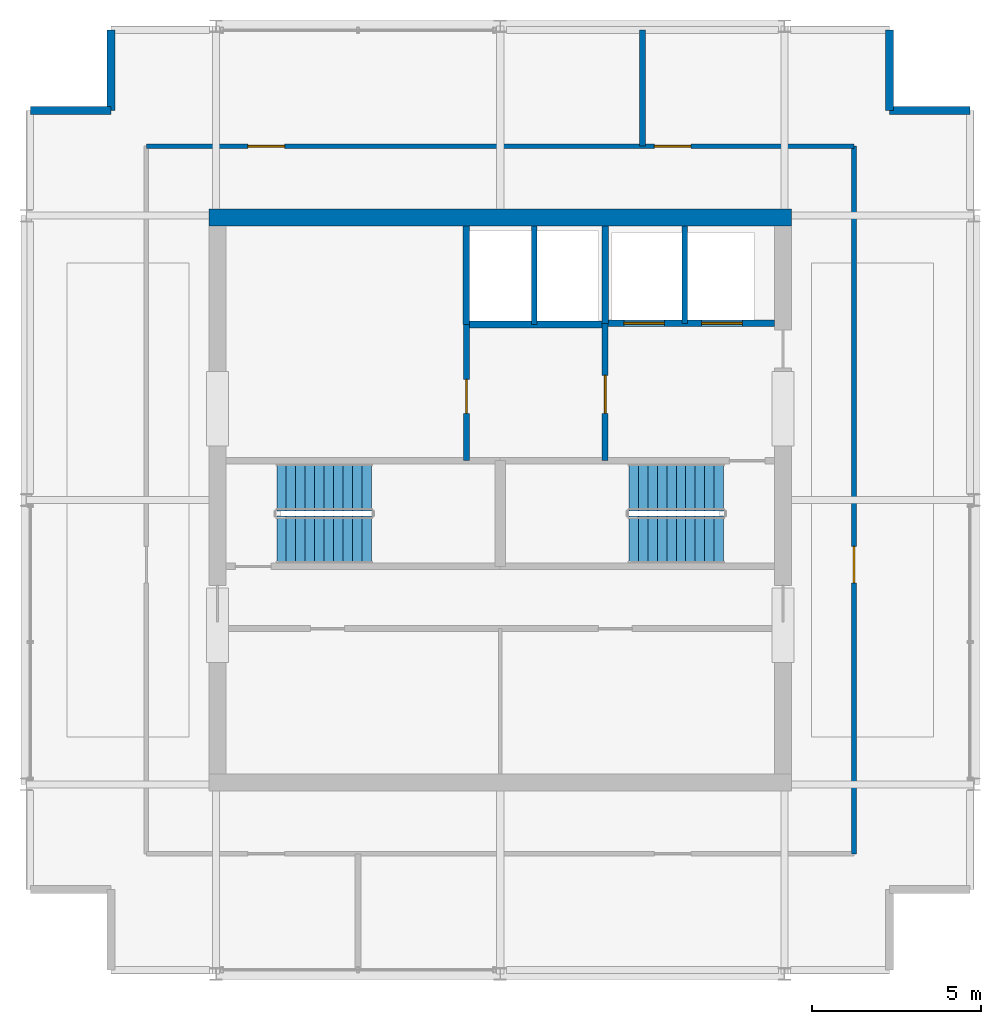
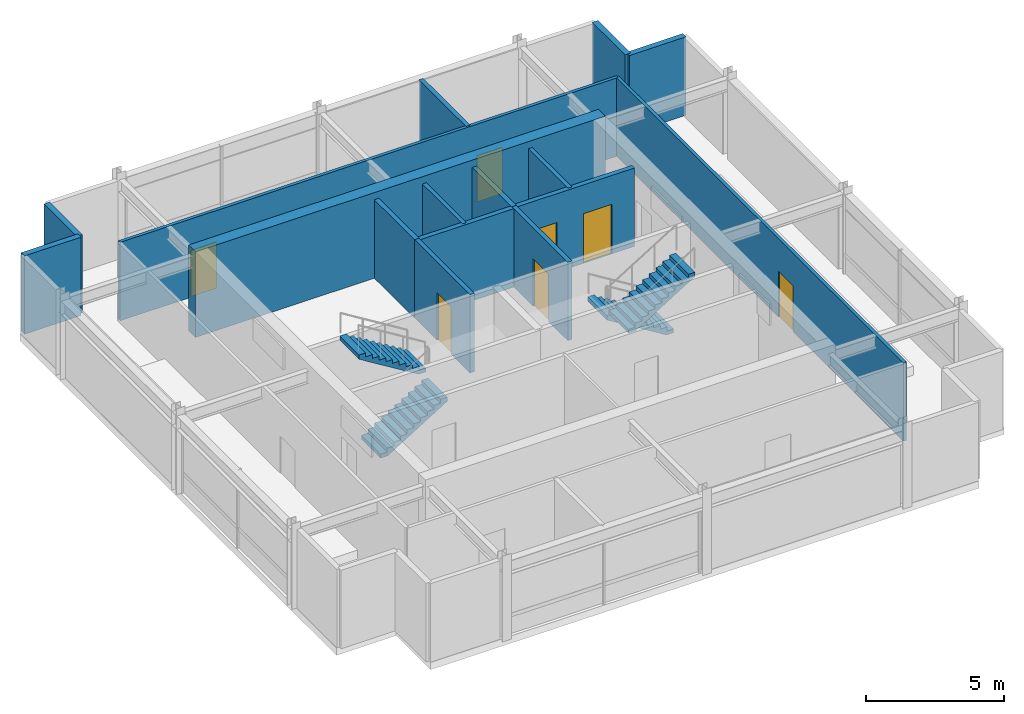
# One storey, part 10 of 12: 16 walls, 7 doors, 4 stair flights, 7 openings, 2 elements without a shape of their own.
"""IFC4 building model written with IfcOpenShell, lengths in metres."""

from ifc_helpers import new_model, si_unit, direction, frame, frame_2d, origin, place, context, subcontext, project, spatial, polyline, rectangle, outline, extrude, material, layer, layer_set, type_object, element, fill, aggregate, save


model = new_model("IFC4")

# Units and contexts
model_context = context("Model", 3, precision=1e-05, world=origin(), true_north=direction((0.0, 1.0)))
body_context = subcontext(model_context, "Body", "Model", "MODEL_VIEW")
ifc_project = project(units=[si_unit("LENGTHUNIT", "METRE"), si_unit("AREAUNIT", "SQUARE_METRE"), si_unit("VOLUMEUNIT", "CUBIC_METRE"), si_unit("PLANEANGLEUNIT", "RADIAN"), si_unit("MASSUNIT", "GRAM", prefix="KILO")], contexts=[model_context])

# Site, building, storey
site_placement = place(None, origin())
site = spatial("IfcSite", under=ifc_project, at=site_placement, CompositionType="ELEMENT")
building_placement = place(site_placement, origin())
building = spatial("IfcBuilding", under=site, at=building_placement, Name="Drelvath Grand Hotel", CompositionType="ELEMENT")
storey_placement = place(building_placement, frame((0.0, 0.0, 319.39990234375)))
storey = spatial("IfcBuildingStorey", under=building, at=storey_placement, Name="L83", CompositionType="ELEMENT", Elevation=319.39990234375)

# Wall, openings, doors
ifc_material_1 = material(Name="Concrete C40/50", Category="concrete")
ifc_layer_1 = layer(ifc_material_1, 0.199951171875)
ifc_layer_set_1 = layer_set([ifc_layer_1], Name="Concrete C40/50")
wall_type_1 = type_object("IfcWallType", Name="Core Hoistway Fire Wall 200", PredefinedType="SOLIDWALL", material=ifc_layer_set_1)
wall_1_placement = place(storey_placement, frame((3.10009765625, 32.219970703125, 0.0), z_axis=(0.0, 0.0, 1.0), x_axis=(1.0, 0.0, 0.0)))
wall_1 = element("IfcWall", 1, at=wall_1_placement, inside=storey, type_object=wall_type_1, Name="L83 FSAE Hoistway Front Wall", PredefinedType="SOLIDWALL", context=body_context, shape_type="SweptSolid", body=[
    extrude(rectangle(XDim=5.0, YDim=0.199951171875, at=frame_2d((2.5, 0.0))), origin(), (0.0, 0.0, 1.0), 3.47998046875),
])
opening_1_placement = place(wall_1_placement, frame((0.550048828125, 0.0, 0.0)))
opening_1 = element("IfcOpeningElement", 2, at=opening_1_placement, cuts=wall_1, Name="Opening LD-FSAE-1", PredefinedType="OPENING", context=body_context, shape_type="SweptSolid", body=[
    extrude(rectangle(XDim=1.199951171875, YDim=2.199951171875, at=frame_2d((0.60009765625, 1.10009765625))), frame((0.0, 0.10986328125, 0.0), z_axis=(0.0, -1.0, 0.0), x_axis=(1.0, 0.0, 0.0)), (0.0, 0.0, 1.0), 0.219970703125),
])
opening_2_placement = place(wall_1_placement, frame((2.85009765625, 0.0, 0.0)))
opening_2 = element("IfcOpeningElement", 3, at=opening_2_placement, cuts=wall_1, Name="Opening LD-FSAE-2", PredefinedType="OPENING", context=body_context, shape_type="SweptSolid", body=[
    extrude(rectangle(XDim=1.199951171875, YDim=2.199951171875, at=frame_2d((0.60009765625, 1.10009765625))), frame((0.0, 0.10986328125, 0.0), z_axis=(0.0, -1.0, 0.0), x_axis=(1.0, 0.0, 0.0)), (0.0, 0.0, 1.0), 0.219970703125),
])
ifc_material_2 = material(Name="Stainless Steel S355", Category="steel")
door_type_1 = type_object("IfcDoorType", Name="FSAE Lift Sliding Landing Door 1200x2200", OperationType="NOTDEFINED", PredefinedType="DOOR", material=ifc_material_2)
door_1_placement = place(opening_1_placement, origin())
door_1 = element("IfcDoor", 4, at=door_1_placement, inside=storey, type_object=door_type_1, Name="L83 Lift FSAE-1 Landing Door", OperationType="SLIDING_TO_LEFT", OverallHeight=2.199951171875, OverallWidth=1.199951171875, PredefinedType="DOOR", context=body_context, shape_type="SweptSolid", body=[
    extrude(rectangle(XDim=1.199951171875, YDim=2.199951171875, at=frame_2d((0.60009765625, 1.10009765625))), frame((0.0, 0.02490234375, 0.0), z_axis=(0.0, -1.0, 0.0), x_axis=(1.0, 0.0, 0.0)), (0.0, 0.0, 1.0), 0.050048828125),
])
fill(opening_1, door_1)
door_2_placement = place(opening_2_placement, origin())
door_2 = element("IfcDoor", 5, at=door_2_placement, inside=storey, type_object=door_type_1, Name="L83 Lift FSAE-2 Landing Door", OperationType="SLIDING_TO_LEFT", OverallHeight=2.199951171875, OverallWidth=1.199951171875, PredefinedType="DOOR", context=body_context, shape_type="SweptSolid", body=[
    extrude(rectangle(XDim=1.199951171875, YDim=2.199951171875, at=frame_2d((0.60009765625, 1.10009765625))), frame((0.0, 0.02490234375, 0.0), z_axis=(0.0, -1.0, 0.0), x_axis=(1.0, 0.0, 0.0)), (0.0, 0.0, 1.0), 0.050048828125),
])
fill(opening_2, door_2)

# Walls
wall_2_placement = place(storey_placement, frame((3.10009765625, 32.219970703125, 0.0), z_axis=(0.0, 0.0, 1.0), x_axis=(0.0, 1.0, 0.0)))
element("IfcWall", 6, at=wall_2_placement, inside=storey, type_object=wall_type_1, Name="L83 FSAE Hoistway West Wall", PredefinedType="SOLIDWALL", context=body_context, shape_type="SweptSolid", body=[
    extrude(rectangle(XDim=2.880126953125, YDim=0.199951171875, at=frame_2d((1.43994140625, 0.0))), origin(), (0.0, 0.0, 1.0), 3.47998046875),
])
wall_3_placement = place(storey_placement, frame((-1.0, 32.179931640625, 0.0), z_axis=(0.0, 0.0, 1.0), x_axis=(1.0, 0.0, 0.0)))
element("IfcWall", 7, at=wall_3_placement, inside=storey, type_object=wall_type_1, Name="L83 Service Lift Hoistway Wall", PredefinedType="SOLIDWALL", context=body_context, shape_type="SweptSolid", body=[
    extrude(rectangle(XDim=4.10009765625, YDim=0.199951171875, at=frame_2d((2.050048828125, 0.0))), origin(), (0.0, 0.0, 1.0), 3.47998046875),
])
wall_4_placement = place(storey_placement, frame((-1.0, 32.179931640625, 0.0), z_axis=(0.0, 0.0, 1.0), x_axis=(0.0, 1.0, 0.0)))
element("IfcWall", 8, at=wall_4_placement, inside=storey, type_object=wall_type_1, Name="L83 Service Lift West Wall", PredefinedType="SOLIDWALL", context=body_context, shape_type="SweptSolid", body=[
    extrude(rectangle(XDim=2.920166015625, YDim=0.199951171875, at=frame_2d((1.4599609375, 0.0))), origin(), (0.0, 0.0, 1.0), 3.47998046875),
])
ifc_material_3 = material(Name="Gypsum Fireboard Partition")
ifc_layer_2 = layer(ifc_material_3, 0.1650390625)
ifc_layer_set_2 = layer_set([ifc_layer_2], Name="Gypsum Fireboard Partition")
wall_type_2 = type_object("IfcWallType", Name="Core Shaft Partition 165", PredefinedType="PARTITIONING", material=ifc_layer_set_2)
wall_5_placement = place(storey_placement, frame((5.449951171875, 32.219970703125, 0.0), z_axis=(0.0, 0.0, 1.0), x_axis=(0.0, 1.0, 0.0)))
element("IfcWall", 9, at=wall_5_placement, inside=storey, type_object=wall_type_2, Name="L83 FSAE Hoistway Divider", PredefinedType="PARTITIONING", context=body_context, shape_type="SweptSolid", body=[
    extrude(rectangle(XDim=2.880126953125, YDim=0.1650390625, at=frame_2d((1.43994140625, 0.0))), origin(), (0.0, 0.0, 1.0), 3.47998046875),
])
wall_6_placement = place(storey_placement, frame((1.0, 32.179931640625, 0.0), z_axis=(0.0, 0.0, 1.0), x_axis=(0.0, 1.0, 0.0)))
element("IfcWall", 10, at=wall_6_placement, inside=storey, type_object=wall_type_2, Name="L83 Service Lift Divider", PredefinedType="PARTITIONING", context=body_context, shape_type="SweptSolid", body=[
    extrude(rectangle(XDim=2.920166015625, YDim=0.1650390625, at=frame_2d((1.4599609375, 0.0))), origin(), (0.0, 0.0, 1.0), 3.47998046875),
])

# Wall, openings, doors
ifc_layer_3 = layer(ifc_material_3, 0.135009765625)
ifc_layer_set_3 = layer_set([ifc_layer_3], Name="Gypsum Fireboard Partition")
wall_type_3 = type_object("IfcWallType", Name="Corridor Fire Barrier Wall 135", PredefinedType="PARTITIONING", material=ifc_layer_set_3)
wall_7_placement = place(storey_placement, frame((-10.449951171875, 37.449951171875, 0.0), z_axis=(0.0, 0.0, 1.0), x_axis=(1.0, 0.0, 0.0)))
wall_7 = element("IfcWall", 11, at=wall_7_placement, inside=storey, type_object=wall_type_3, Name="L83 Crown North Corridor Wall", PredefinedType="PARTITIONING", context=body_context, shape_type="SweptSolid", body=[
    extrude(rectangle(XDim=20.89990234375, YDim=0.135009765625, at=frame_2d((10.449951171875, 0.0))), origin(), (0.0, 0.0, 1.0), 3.47998046875),
])
opening_3_placement = place(wall_7_placement, frame((3.0, 0.0, 0.0)))
opening_3 = element("IfcOpeningElement", 12, at=opening_3_placement, cuts=wall_7, Name="Opening D-L83-014", PredefinedType="OPENING", context=body_context, shape_type="SweptSolid", body=[
    extrude(rectangle(XDim=1.080078125, YDim=2.0400390625, at=frame_2d((0.5400390625, 1.02001953125))), frame((0.0, 0.077392578125, 0.0), z_axis=(0.0, -1.0, 0.0), x_axis=(1.0, 0.0, 0.0)), (0.0, 0.0, 1.0), 0.155029296875),
])
opening_4_placement = place(wall_7_placement, frame((15.0, 0.0, 0.0)))
opening_4 = element("IfcOpeningElement", 13, at=opening_4_placement, cuts=wall_7, Name="Opening D-L83-015", PredefinedType="OPENING", context=body_context, shape_type="SweptSolid", body=[
    extrude(rectangle(XDim=1.080078125, YDim=2.0400390625, at=frame_2d((0.5400390625, 1.02001953125))), frame((0.0, 0.077392578125, 0.0), z_axis=(0.0, -1.0, 0.0), x_axis=(1.0, 0.0, 0.0)), (0.0, 0.0, 1.0), 0.155029296875),
])
ifc_material_4 = material(Name="Painted Steel S275", Category="steel")
door_type_2 = type_object("IfcDoorType", Name="Core Corridor Fire Door 1080x2100", OperationType="NOTDEFINED", PredefinedType="DOOR", material=ifc_material_4)
door_3_placement = place(opening_3_placement, origin())
door_3 = element("IfcDoor", 14, at=door_3_placement, inside=storey, type_object=door_type_2, Name="L83 Transmitter Plant Door", OperationType="SINGLE_SWING_RIGHT", OverallHeight=2.0400390625, OverallWidth=1.080078125, PredefinedType="DOOR", context=body_context, shape_type="SweptSolid", body=[
    extrude(rectangle(XDim=1.080078125, YDim=2.0400390625, at=frame_2d((0.5400390625, 1.02001953125))), frame((0.0, 0.02490234375, 0.0), z_axis=(0.0, -1.0, 0.0), x_axis=(1.0, 0.0, 0.0)), (0.0, 0.0, 1.0), 0.050048828125),
])
fill(opening_3, door_3)
door_4_placement = place(opening_4_placement, origin())
door_4 = element("IfcDoor", 15, at=door_4_placement, inside=storey, type_object=door_type_2, Name="L83 TMD Plant Door", OperationType="SINGLE_SWING_LEFT", OverallHeight=2.0400390625, OverallWidth=1.080078125, PredefinedType="DOOR", context=body_context, shape_type="SweptSolid", body=[
    extrude(rectangle(XDim=1.080078125, YDim=2.0400390625, at=frame_2d((0.5400390625, 1.02001953125))), frame((0.0, 0.02490234375, 0.0), z_axis=(0.0, -1.0, 0.0), x_axis=(1.0, 0.0, 0.0)), (0.0, 0.0, 1.0), 0.050048828125),
])
fill(opening_4, door_4)

# Wall, opening, door
wall_8_placement = place(storey_placement, frame((10.449951171875, 16.550048828125, 0.0), z_axis=(0.0, 0.0, 1.0), x_axis=(0.0, 1.0, 0.0)))
wall_8 = element("IfcWall", 16, at=wall_8_placement, inside=storey, type_object=wall_type_3, Name="L83 Crown East Corridor Wall", PredefinedType="PARTITIONING", context=body_context, shape_type="SweptSolid", body=[
    extrude(rectangle(XDim=20.89990234375, YDim=0.135009765625, at=frame_2d((10.449951171875, 0.0))), origin(), (0.0, 0.0, 1.0), 3.47998046875),
])
opening_5_placement = place(wall_8_placement, frame((8.0, 0.0, 0.0)))
opening_5 = element("IfcOpeningElement", 17, at=opening_5_placement, cuts=wall_8, Name="Opening D-L83-017", PredefinedType="OPENING", context=body_context, shape_type="SweptSolid", body=[
    extrude(rectangle(XDim=1.080078125, YDim=2.0400390625, at=frame_2d((0.5400390625, 1.02001953125))), frame((0.0, 0.077392578125, 0.0), z_axis=(0.0, -1.0, 0.0), x_axis=(1.0, 0.0, 0.0)), (0.0, 0.0, 1.0), 0.155029296875),
])
door_5_placement = place(opening_5_placement, origin())
door_5 = element("IfcDoor", 18, at=door_5_placement, inside=storey, type_object=door_type_2, Name="L83 Pressurization Fan Door", OperationType="SINGLE_SWING_LEFT", OverallHeight=2.0400390625, OverallWidth=1.080078125, PredefinedType="DOOR", context=body_context, shape_type="SweptSolid", body=[
    extrude(rectangle(XDim=1.080078125, YDim=2.0400390625, at=frame_2d((0.5400390625, 1.02001953125))), frame((0.0, 0.02490234375, 0.0), z_axis=(0.0, -1.0, 0.0), x_axis=(1.0, 0.0, 0.0)), (0.0, 0.0, 1.0), 0.050048828125),
])
fill(opening_5, door_5)

ifc_layer_4 = layer(ifc_material_3, 0.179931640625)
ifc_layer_set_4 = layer_set([ifc_layer_4], Name="Gypsum Fireboard Partition")
wall_type_4 = type_object("IfcWallType", Name="FSAE Smoke Lobby Fire Wall 180", PredefinedType="SOLIDWALL", material=ifc_layer_set_4)
wall_9_placement = place(storey_placement, frame((3.10009765625, 28.159912109375, 0.0), z_axis=(0.0, 0.0, 1.0), x_axis=(0.0, 1.0, 0.0)))
wall_9 = element("IfcWall", 19, at=wall_9_placement, inside=storey, type_object=wall_type_4, Name="L83 FSAE Smoke Lobby West Wall", PredefinedType="SOLIDWALL", context=body_context, shape_type="SweptSolid", body=[
    extrude(rectangle(XDim=4.06005859375, YDim=0.179931640625, at=frame_2d((2.030029296875, 0.0))), origin(), (0.0, 0.0, 1.0), 3.47998046875),
])
opening_6_placement = place(wall_9_placement, frame((1.39990234375, 0.0, 0.0)))
opening_6 = element("IfcOpeningElement", 20, at=opening_6_placement, cuts=wall_9, Name="Opening D-L83-005", PredefinedType="OPENING", context=body_context, shape_type="SweptSolid", body=[
    extrude(rectangle(XDim=1.1201171875, YDim=2.10009765625, at=frame_2d((0.56005859375, 1.050048828125))), frame((0.0, 0.099853515625, 0.0), z_axis=(0.0, -1.0, 0.0), x_axis=(1.0, 0.0, 0.0)), (0.0, 0.0, 1.0), 0.199951171875),
])
door_type_3 = type_object("IfcDoorType", Name="FSAE Smoke Lobby Fire Door 1120x2100", OperationType="NOTDEFINED", PredefinedType="DOOR", material=ifc_material_4)
door_6_placement = place(opening_6_placement, origin())
door_6 = element("IfcDoor", 21, at=door_6_placement, inside=storey, type_object=door_type_3, Name="L83 FSAE Lobby Service Vestibule Door", OperationType="SINGLE_SWING_RIGHT", OverallHeight=2.10009765625, OverallWidth=1.1201171875, PredefinedType="DOOR", context=body_context, shape_type="SweptSolid", body=[
    extrude(rectangle(XDim=1.1201171875, YDim=2.10009765625, at=frame_2d((0.56005859375, 1.050048828125))), frame((0.0, 0.02490234375, 0.0), z_axis=(0.0, -1.0, 0.0), x_axis=(1.0, 0.0, 0.0)), (0.0, 0.0, 1.0), 0.050048828125),
])
fill(opening_6, door_6)

wall_10_placement = place(storey_placement, frame((-1.0, 28.159912109375, 0.0), z_axis=(0.0, 0.0, 1.0), x_axis=(0.0, 1.0, 0.0)))
wall_10 = element("IfcWall", 22, at=wall_10_placement, inside=storey, type_object=wall_type_4, Name="L83 Service Vestibule West Wall", PredefinedType="SOLIDWALL", context=body_context, shape_type="SweptSolid", body=[
    extrude(rectangle(XDim=4.02001953125, YDim=0.179931640625, at=frame_2d((2.010009765625, 0.0))), origin(), (0.0, 0.0, 1.0), 3.47998046875),
])
opening_7_placement = place(wall_10_placement, frame((1.39990234375, 0.0, 0.0)))
opening_7 = element("IfcOpeningElement", 23, at=opening_7_placement, cuts=wall_10, Name="Opening D-L83-007", PredefinedType="OPENING", context=body_context, shape_type="SweptSolid", body=[
    extrude(rectangle(XDim=1.0, YDim=2.10009765625, at=frame_2d((0.5, 1.050048828125))), frame((0.0, 0.099853515625, 0.0), z_axis=(0.0, -1.0, 0.0), x_axis=(1.0, 0.0, 0.0)), (0.0, 0.0, 1.0), 0.199951171875),
])
door_type_4 = type_object("IfcDoorType", Name="Core Service Fire Door 1000x2100", OperationType="NOTDEFINED", PredefinedType="DOOR", material=ifc_material_4)
door_7_placement = place(opening_7_placement, origin())
door_7 = element("IfcDoor", 24, at=door_7_placement, inside=storey, type_object=door_type_4, Name="L83 Service Vestibule West Door", OperationType="SINGLE_SWING_LEFT", OverallHeight=2.10009765625, OverallWidth=1.0, PredefinedType="DOOR", context=body_context, shape_type="SweptSolid", body=[
    extrude(rectangle(XDim=1.0, YDim=2.10009765625, at=frame_2d((0.5, 1.050048828125))), frame((0.0, 0.02490234375, 0.0), z_axis=(0.0, -1.0, 0.0), x_axis=(1.0, 0.0, 0.0)), (0.0, 0.0, 1.0), 0.050048828125),
])
fill(opening_7, door_7)

# Walls
wall_11_placement = place(storey_placement, frame((4.199951171875, 37.449951171875, 0.0), z_axis=(0.0, 0.0, 1.0), x_axis=(0.0, 1.0, 0.0)))
element("IfcWall", 25, at=wall_11_placement, inside=storey, type_object=wall_type_4, Name="L83 Crown North Split", PredefinedType="SOLIDWALL", context=body_context, shape_type="SweptSolid", body=[
    extrude(rectangle(XDim=3.429931640625, YDim=0.179931640625, at=frame_2d((1.71484375, 0.0))), origin(), (0.0, 0.0, 1.0), 3.47998046875),
])
ifc_material_5 = material(Name="Pale-Metal Insulated Aluminium Spandrel Assembly", Category="aluminium")
ifc_layer_5 = layer(ifc_material_5, 0.239990234375)
ifc_layer_set_5 = layer_set([ifc_layer_5], Name="Pale-Metal Insulated Aluminium Spandrel Assembly")
wall_type_5 = type_object("IfcWallType", Name="Tower Insulated Metal Spandrel Closure Wall 240", PredefinedType="STANDARD", material=ifc_layer_set_5)
for number, where, z_axis, x_axis, name in (
    (26, (-13.8798828125, 38.5, 0.0), (0.0, 0.0, 1.0), (1.0, 0.0, 0.0), "L83 Crown Drum Corner Wall CNW1"),
    (27, (-11.5, 38.5, 0.0), (0.0, 0.0, 1.0), (0.0, 1.0, 0.0), "L83 Crown Drum Corner Wall CNW2"),
    (28, (11.5, 40.8798828125, 0.0), (0.0, 0.0, 1.0), (0.0, -1.0, 0.0), "L83 Crown Drum Corner Wall CNE1"),
    (29, (11.5, 38.5, 0.0), (0.0, 0.0, 1.0), (1.0, 0.0, 0.0), "L83 Crown Drum Corner Wall CNE2"),
):
    element("IfcWall", number, at=place(storey_placement, frame(where, z_axis=z_axis, x_axis=x_axis)), inside=storey, type_object=wall_type_5, Name=name, PredefinedType="STANDARD", context=body_context, shape_type="SweptSolid", body=[
        extrude(rectangle(XDim=2.3798828125, YDim=0.239990234375, at=frame_2d((1.18994140625, 0.0))), origin(), (0.0, 0.0, 1.0), 3.47998046875),
    ])
ifc_material_6 = material(Name="Concrete f'c 55 MPa", Category="concrete")
ifc_layer_6 = layer(ifc_material_6, 0.5)
ifc_layer_set_6 = layer_set([ifc_layer_6], Name="Concrete f'c 55 MPa")
wall_type_6 = type_object("IfcWallType", Name="Upper Core RC Shear Wall 500", PredefinedType="SHEAR", material=ifc_layer_set_6)
wall_12_placement = place(storey_placement, frame((-8.60009765625, 35.35009765625, 0.0), z_axis=(0.0, 0.0, 1.0), x_axis=(1.0, 0.0, 0.0)))
element("IfcWall", 30, at=wall_12_placement, inside=storey, type_object=wall_type_6, Name="L83 Central Core Shear Wall N", PredefinedType="SHEAR", context=body_context, shape_type="SweptSolid", body=[
    extrude(rectangle(XDim=17.2001953125, YDim=0.5, at=frame_2d((8.60009765625, 0.0))), origin(), (0.0, 0.0, 1.0), 3.800048828125),
])

# Stair, stair flights
stair_type = type_object("IfcStairType", Name="Dogleg Exit Stair W1400-R172.7", PredefinedType="HALF_TURN_STAIR", material=ifc_material_1)
stair_1_placement = place(storey_placement, origin())
stair_1 = element("IfcStair", 31, at=stair_1_placement, inside=storey, type_object=stair_type, Name="L83 Core Exit Stair ST-1", PredefinedType="HALF_TURN_STAIR")
stair_flight_type = type_object("IfcStairFlightType", Name="Concrete Stair Flight W1400-R172.7", PredefinedType="STRAIGHT", material=ifc_material_1)
stair_flight_1_placement = place(storey_placement, frame((-6.60009765625, 25.820068359375, 0.0), z_axis=(0.0, 0.0, 1.0), x_axis=(1.0, 0.0, 0.0)))
stair_flight_1 = element("IfcStairFlight", 32, at=stair_flight_1_placement, type_object=stair_flight_type, Name="ST-1 flight 1", NumberOfRisers=11, NumberOfTreads=10, PredefinedType="STRAIGHT", RiserHeight=0.172727273, TreadLength=0.28, context=body_context, shape_type="SweptSolid", body=[
    extrude(outline(polyline([(0.0, 0.0), (0.0, 0.172607421875), (0.280029296875, 0.172607421875), (0.280029296875, 0.345458984375), (0.56005859375, 0.345458984375), (0.56005859375, 0.51806640625), (0.840087890625, 0.51806640625), (0.840087890625, 0.69091796875), (1.1201171875, 0.69091796875), (1.1201171875, 0.863525390625), (1.39990234375, 0.863525390625), (1.39990234375, 1.036376953125), (1.679931640625, 1.036376953125), (1.679931640625, 1.208984375), (1.9599609375, 1.208984375), (1.9599609375, 1.3818359375), (2.239990234375, 1.3818359375), (2.239990234375, 1.554443359375), (2.52001953125, 1.554443359375), (2.52001953125, 1.727294921875), (2.800048828125, 1.727294921875), (2.800048828125, 1.89990234375), (2.800048828125, 1.539306640625), (0.3046875, 0.0), (0.0, 0.0)])), frame((0.0, 0.699951171875, 0.0), z_axis=(0.0, -1.0, 0.0), x_axis=(1.0, 0.0, 0.0)), (0.0, 0.0, 1.0), 1.39990234375),
])
stair_flight_2_placement = place(storey_placement, frame((-3.800048828125, 27.3798828125, 1.900146484375), z_axis=(0.0, 0.0, 1.0), x_axis=(-1.0, 0.0, 0.0)))
stair_flight_2 = element("IfcStairFlight", 33, at=stair_flight_2_placement, type_object=stair_flight_type, Name="ST-1 flight 2", NumberOfRisers=11, NumberOfTreads=10, PredefinedType="STRAIGHT", RiserHeight=0.172727273, TreadLength=0.28, context=body_context, shape_type="SweptSolid", body=[
    extrude(outline(polyline([(0.0, 0.0), (0.0, 0.172607421875), (0.280029296875, 0.172607421875), (0.280029296875, 0.345458984375), (0.56005859375, 0.345458984375), (0.56005859375, 0.51806640625), (0.840087890625, 0.51806640625), (0.840087890625, 0.69091796875), (1.1201171875, 0.69091796875), (1.1201171875, 0.863525390625), (1.39990234375, 0.863525390625), (1.39990234375, 1.036376953125), (1.679931640625, 1.036376953125), (1.679931640625, 1.208984375), (1.9599609375, 1.208984375), (1.9599609375, 1.3818359375), (2.239990234375, 1.3818359375), (2.239990234375, 1.554443359375), (2.52001953125, 1.554443359375), (2.52001953125, 1.727294921875), (2.800048828125, 1.727294921875), (2.800048828125, 1.89990234375), (2.800048828125, 1.539306640625), (0.3046875, 0.0), (0.0, 0.0)])), frame((0.0, 0.699951171875, 0.0), z_axis=(0.0, -1.0, 0.0), x_axis=(1.0, 0.0, 0.0)), (0.0, 0.0, 1.0), 1.39990234375),
])
aggregate(stair_1, [stair_flight_1, stair_flight_2])

stair_2_placement = place(storey_placement, origin())
stair_2 = element("IfcStair", 34, at=stair_2_placement, inside=storey, type_object=stair_type, Name="L83 Core Exit Stair ST-2", PredefinedType="HALF_TURN_STAIR")
stair_flight_3_placement = place(storey_placement, frame((6.60009765625, 27.3798828125, 0.0), z_axis=(0.0, 0.0, 1.0), x_axis=(-1.0, 0.0, 0.0)))
stair_flight_3 = element("IfcStairFlight", 35, at=stair_flight_3_placement, type_object=stair_flight_type, Name="ST-2 flight 1", NumberOfRisers=11, NumberOfTreads=10, PredefinedType="STRAIGHT", RiserHeight=0.172727273, TreadLength=0.28, context=body_context, shape_type="SweptSolid", body=[
    extrude(outline(polyline([(0.0, 0.0), (0.0, 0.172607421875), (0.280029296875, 0.172607421875), (0.280029296875, 0.345458984375), (0.56005859375, 0.345458984375), (0.56005859375, 0.51806640625), (0.840087890625, 0.51806640625), (0.840087890625, 0.69091796875), (1.1201171875, 0.69091796875), (1.1201171875, 0.863525390625), (1.39990234375, 0.863525390625), (1.39990234375, 1.036376953125), (1.679931640625, 1.036376953125), (1.679931640625, 1.208984375), (1.9599609375, 1.208984375), (1.9599609375, 1.3818359375), (2.239990234375, 1.3818359375), (2.239990234375, 1.554443359375), (2.52001953125, 1.554443359375), (2.52001953125, 1.727294921875), (2.800048828125, 1.727294921875), (2.800048828125, 1.89990234375), (2.800048828125, 1.539306640625), (0.3046875, 0.0), (0.0, 0.0)])), frame((0.0, 0.699951171875, 0.0), z_axis=(0.0, -1.0, 0.0), x_axis=(1.0, 0.0, 0.0)), (0.0, 0.0, 1.0), 1.39990234375),
])
stair_flight_4_placement = place(storey_placement, frame((3.800048828125, 25.820068359375, 1.900146484375), z_axis=(0.0, 0.0, 1.0), x_axis=(1.0, 0.0, 0.0)))
stair_flight_4 = element("IfcStairFlight", 36, at=stair_flight_4_placement, type_object=stair_flight_type, Name="ST-2 flight 2", NumberOfRisers=11, NumberOfTreads=10, PredefinedType="STRAIGHT", RiserHeight=0.172727273, TreadLength=0.28, context=body_context, shape_type="SweptSolid", body=[
    extrude(outline(polyline([(0.0, 0.0), (0.0, 0.172607421875), (0.280029296875, 0.172607421875), (0.280029296875, 0.345458984375), (0.56005859375, 0.345458984375), (0.56005859375, 0.51806640625), (0.840087890625, 0.51806640625), (0.840087890625, 0.69091796875), (1.1201171875, 0.69091796875), (1.1201171875, 0.863525390625), (1.39990234375, 0.863525390625), (1.39990234375, 1.036376953125), (1.679931640625, 1.036376953125), (1.679931640625, 1.208984375), (1.9599609375, 1.208984375), (1.9599609375, 1.3818359375), (2.239990234375, 1.3818359375), (2.239990234375, 1.554443359375), (2.52001953125, 1.554443359375), (2.52001953125, 1.727294921875), (2.800048828125, 1.727294921875), (2.800048828125, 1.89990234375), (2.800048828125, 1.539306640625), (0.3046875, 0.0), (0.0, 0.0)])), frame((0.0, 0.699951171875, 0.0), z_axis=(0.0, -1.0, 0.0), x_axis=(1.0, 0.0, 0.0)), (0.0, 0.0, 1.0), 1.39990234375),
])
aggregate(stair_2, [stair_flight_3, stair_flight_4])

save(model, "model.ifc")
